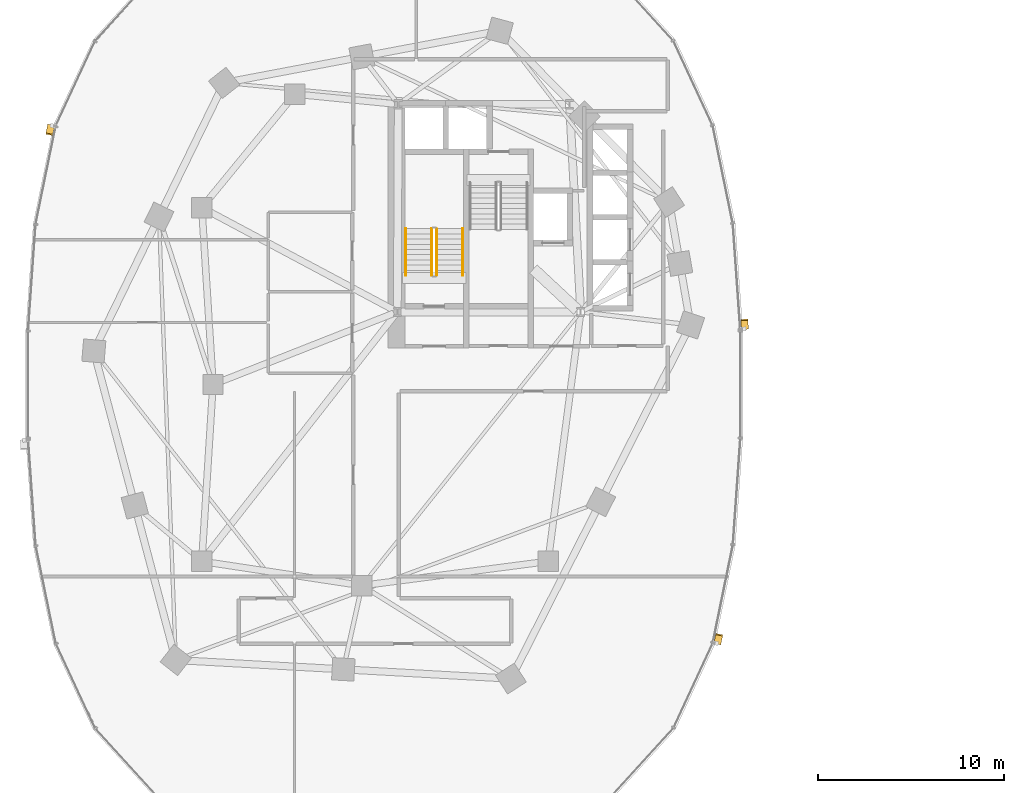
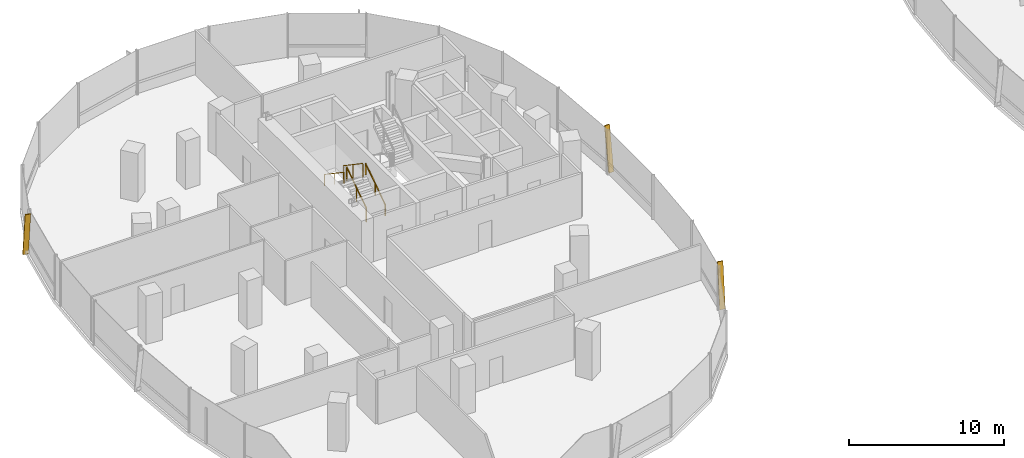
# One storey, part 18 of 21: 4 railings, 3 shading devices.
"""IFC4 building model written with IfcOpenShell, lengths in metres."""

from ifc_helpers import new_model, si_unit, direction, frame, origin, origin_2d, place, context, subcontext, project, spatial, rectangle, extrude, material, material_profile, profile_set, type_object, element, save


model = new_model("IFC4")

# Units and contexts
model_context = context("Model", 3, precision=1e-05, world=origin(), true_north=direction((0.0, 1.0)))
body_context = subcontext(model_context, "Body", "Model", "MODEL_VIEW")
ifc_project = project(units=[si_unit("LENGTHUNIT", "METRE"), si_unit("AREAUNIT", "SQUARE_METRE"), si_unit("VOLUMEUNIT", "CUBIC_METRE"), si_unit("PLANEANGLEUNIT", "RADIAN"), si_unit("MASSUNIT", "GRAM", prefix="KILO"), si_unit("THERMODYNAMICTEMPERATUREUNIT", "KELVIN"), si_unit("POWERUNIT", "WATT")], contexts=[model_context])

# Site, building, storey
site_placement = place(None, origin())
site = spatial("IfcSite", under=ifc_project, at=site_placement, CompositionType="ELEMENT")
building_placement = place(site_placement, origin())
building = spatial("IfcBuilding", under=site, at=building_placement, Name="Cundina Bronze Exchange", CompositionType="ELEMENT")
storey_placement = place(building_placement, frame((0.0, 0.0, 50.60009765625)))
storey = spatial("IfcBuildingStorey", under=building, at=storey_placement, Name="L12", CompositionType="ELEMENT", Elevation=50.60009765625)

# Railings
ifc_material_1 = material(Name="Steel ASTM A36 Painted", Category="steel")
railing_type_1 = type_object("IfcRailingType", Name="RLG-HND-900", PredefinedType="HANDRAIL", material=ifc_material_1)
railing_1_placement = place(storey_placement, frame((-27.7900390625, 5.85009765625, 0.18994140625)))
element("IfcRailing", 1, at=railing_1_placement, inside=storey, type_object=railing_type_1, Name="L12 ST-W1 stair handrail 1", PredefinedType="HANDRAIL", context=body_context, shape_type="SweptSolid", body=[
    extrude(rectangle(XDim=0.048095703125, YDim=0.048095703125, at=origin_2d()), frame((0.0, 0.0, 0.8759765625), z_axis=(0.0, 0.827483756001, 0.561489655786), x_axis=(-1.0, 0.0, 0.0)), (0.0, 0.0, 1.0), 3.04541015625),
    extrude(rectangle(XDim=0.0419921875, YDim=0.0419921875, at=origin_2d()), origin(), (0.0, 0.0, 1.0), 0.851806640625),
    extrude(rectangle(XDim=0.0419921875, YDim=0.0419921875, at=origin_2d()), frame((0.0, 1.260009765625, 0.85498046875)), (0.0, 0.0, 1.0), 0.851806640625),
    extrude(rectangle(XDim=0.0419921875, YDim=0.0419921875, at=origin_2d()), frame((0.0, 2.52001953125, 1.7099609375)), (0.0, 0.0, 1.0), 0.851806640625),
])
railing_2_placement = place(storey_placement, frame((-30.85009765625, 8.3701171875, 2.08984375)))
element("IfcRailing", 2, at=railing_2_placement, inside=storey, type_object=railing_type_1, Name="L12 ST-W1 stair handrail 2", PredefinedType="HANDRAIL", context=body_context, shape_type="SweptSolid", body=[
    extrude(rectangle(XDim=0.048095703125, YDim=0.048095703125, at=origin_2d()), frame((0.0, 0.0, 0.8759765625), z_axis=(0.0, -0.827483756001, 0.561489655786), x_axis=(1.0, 0.0, 0.0)), (0.0, 0.0, 1.0), 3.04541015625),
    extrude(rectangle(XDim=0.0419921875, YDim=0.0419921875, at=origin_2d()), origin(), (0.0, 0.0, 1.0), 0.851806640625),
    extrude(rectangle(XDim=0.0419921875, YDim=0.0419921875, at=origin_2d()), frame((0.0, -1.260009765625, 0.85498046875)), (0.0, 0.0, 1.0), 0.851806640625),
    extrude(rectangle(XDim=0.0419921875, YDim=0.0419921875, at=origin_2d()), frame((0.0, -2.52001953125, 1.7099609375)), (0.0, 0.0, 1.0), 0.851806640625),
])
railing_type_2 = type_object("IfcRailingType", Name="RLG-STG-1100", PredefinedType="GUARDRAIL", material=ifc_material_1)
railing_3_placement = place(storey_placement, frame((-29.18994140625, 5.85009765625, 0.18994140625)))
element("IfcRailing", 3, at=railing_3_placement, inside=storey, type_object=railing_type_2, Name="L12 ST-W1 stair guard 1", PredefinedType="GUARDRAIL", context=body_context, shape_type="SweptSolid", body=[
    extrude(rectangle(XDim=0.048095703125, YDim=0.048095703125, at=origin_2d()), frame((0.0, 0.0, 1.076171875), z_axis=(0.0, 0.827483756001, 0.561489655786), x_axis=(-1.0, 0.0, 0.0)), (0.0, 0.0, 1.0), 3.04541015625),
    extrude(rectangle(XDim=0.0419921875, YDim=0.0419921875, at=origin_2d()), origin(), (0.0, 0.0, 1.0), 1.052001953125),
    extrude(rectangle(XDim=0.0419921875, YDim=0.0419921875, at=origin_2d()), frame((0.0, 1.260009765625, 0.85498046875)), (0.0, 0.0, 1.0), 1.052001953125),
    extrude(rectangle(XDim=0.0419921875, YDim=0.0419921875, at=origin_2d()), frame((0.0, 2.52001953125, 1.7099609375)), (0.0, 0.0, 1.0), 1.052001953125),
])
railing_4_placement = place(storey_placement, frame((-29.449951171875, 8.3701171875, 2.08984375)))
element("IfcRailing", 4, at=railing_4_placement, inside=storey, type_object=railing_type_2, Name="L12 ST-W1 stair guard 3", PredefinedType="GUARDRAIL", context=body_context, shape_type="SweptSolid", body=[
    extrude(rectangle(XDim=0.048095703125, YDim=0.048095703125, at=origin_2d()), frame((0.0, 0.0, 1.076171875), z_axis=(0.0, -0.827483756001, 0.561489655786), x_axis=(1.0, 0.0, 0.0)), (0.0, 0.0, 1.0), 3.04541015625),
    extrude(rectangle(XDim=0.0419921875, YDim=0.0419921875, at=origin_2d()), origin(), (0.0, 0.0, 1.0), 1.052001953125),
    extrude(rectangle(XDim=0.0419921875, YDim=0.0419921875, at=origin_2d()), frame((0.0, -1.260009765625, 0.85498046875)), (0.0, 0.0, 1.0), 1.052001953125),
    extrude(rectangle(XDim=0.0419921875, YDim=0.0419921875, at=origin_2d()), frame((0.0, -2.52001953125, 1.7099609375)), (0.0, 0.0, 1.0), 1.052001953125),
])

# Shading devices
ifc_material_2 = material(Name="Anodised Bronze Aluminium 6063-T6", Category="aluminium")
ifc_material_profile = material_profile(ifc_material_2, rectangle(XDim=0.070068359375, YDim=0.3798828125, at=origin_2d()), Name="FIN70X380", Category="aluminium")
ifc_profile_set = profile_set([ifc_material_profile], Name="Anodised Bronze Aluminium 6063-T6")
shading_device_type = type_object("IfcShadingDeviceType", Name="SHD-FIN-BRZ380", PredefinedType="USERDEFINED", material=ifc_profile_set)
for number, where, z_axis, x_axis, name in (
    (5, (-12.6259765625, 2.993896484375, 0.02001953125), (-0.009645159174, 0.137059109714, 0.990515911709), (0.06953288269, -0.988072340253, 0.137398066402), "L12 Diagonal Bronze Solar Fin 1"),
    (6, (-49.89599609375, 13.911865234375, 0.02001953125), (-0.027747134956, -0.134612045151, 0.990509815096), (0.199966585563, 0.970114971774, 0.137442010309), "L12 Diagonal Bronze Solar Fin 5"),
    (7, (-14.10400390625, -13.911865234375, 0.02001953125), (0.027747134956, 0.134612045151, 0.990509815096), (-0.199966585563, -0.970114971774, 0.137442010309), "L12 Diagonal Bronze Solar Fin 5"),
):
    element("IfcShadingDevice", number, at=place(storey_placement, frame(where, z_axis=z_axis, x_axis=x_axis)), inside=storey, type_object=shading_device_type, Name=name, ObjectType="FIN", PredefinedType="USERDEFINED", context=body_context, shape_type="SweptSolid", body=[
        extrude(rectangle(XDim=0.070068359375, YDim=0.3798828125, at=origin_2d()), origin(), (0.0, 0.0, 1.0), 3.4931640625),
    ])

save(model, "model.ifc")
